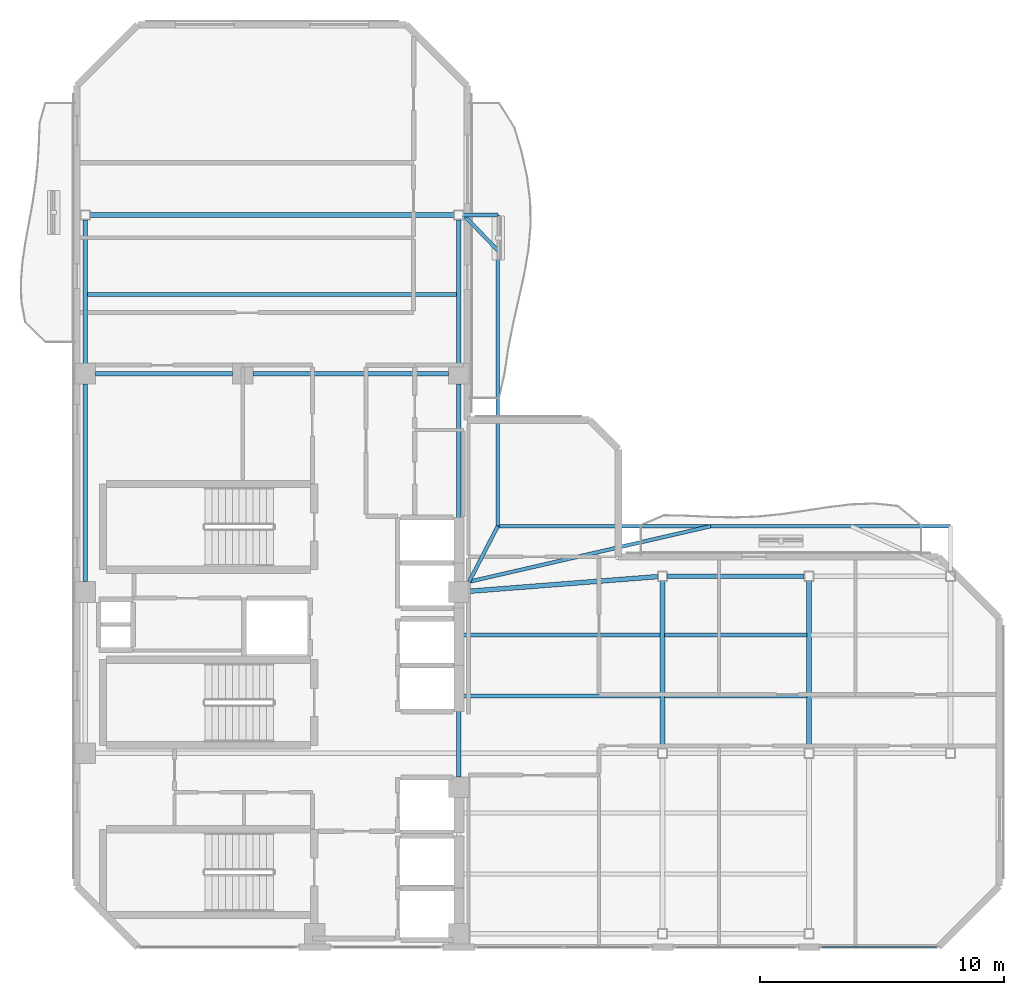
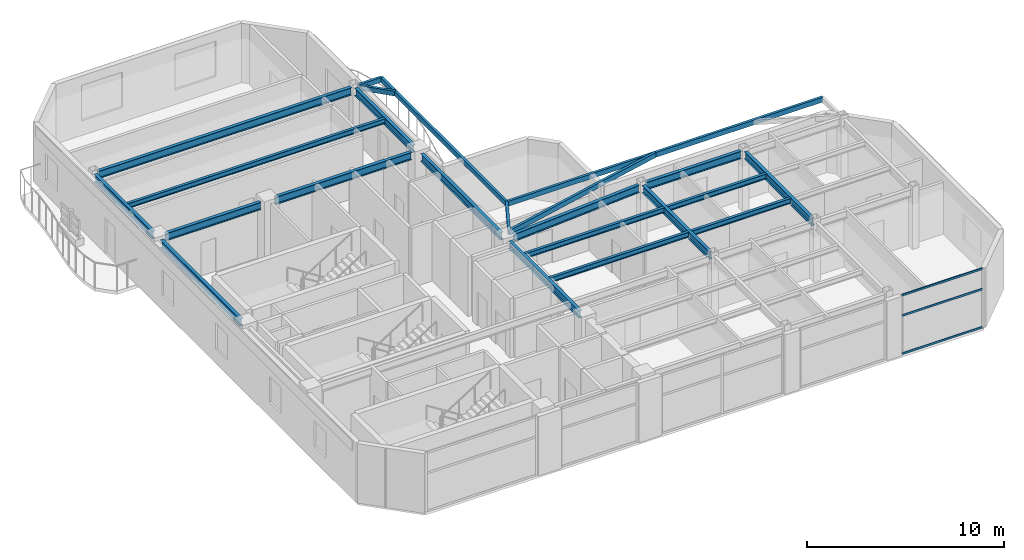
# One storey, part 6 of 15: 23 beams, 3 members, 1 element without a shape of its own.
"""IFC4 building model written with IfcOpenShell, lengths in metres."""

from ifc_helpers import new_model, si_unit, direction, frame, origin, origin_2d, place, context, subcontext, project, spatial, hollow_rectangle, i_section, extrude, material, layer, layer_set, material_profile, profile_set, type_object, element, aggregate, save


model = new_model("IFC4")

# Units and contexts
model_context = context("Model", 3, precision=1e-05, world=origin(), true_north=direction((0.0, 1.0)))
body_context = subcontext(model_context, "Body", "Model", "MODEL_VIEW")
ifc_project = project(units=[si_unit("LENGTHUNIT", "METRE"), si_unit("AREAUNIT", "SQUARE_METRE"), si_unit("VOLUMEUNIT", "CUBIC_METRE"), si_unit("PLANEANGLEUNIT", "RADIAN"), si_unit("MASSUNIT", "GRAM", prefix="KILO")], contexts=[model_context])

# Site, building, storey
site_placement = place(None, origin())
site = spatial("IfcSite", under=ifc_project, at=site_placement, CompositionType="ELEMENT")
building_placement = place(site_placement, origin())
building = spatial("IfcBuilding", under=site, at=building_placement, Name="Mawjaban Terraces University", CompositionType="ELEMENT")
storey_placement = place(building_placement, frame((0.0, 0.0, 295.0)))
storey = spatial("IfcBuildingStorey", under=building, at=storey_placement, Name="L72", CompositionType="ELEMENT", Elevation=295.0)

# Beams
ifc_material_1 = material(Name="Steel EN 10210-1 S355J2H", Category="steel")
ifc_material_profile_1 = material_profile(ifc_material_1, hollow_rectangle(XDim=0.14990234375, YDim=0.300048828125, WallThickness=0.012451171875, at=origin_2d()), Name="RHS300X150X12.5")
ifc_profile_set_1 = profile_set([ifc_material_profile_1], Name="Steel EN 10210-1 S355J2H")
beam_type_1 = type_object("IfcBeamType", Name="BalconyCantileverSpandrel_RHS", PredefinedType="SPANDREL", material=ifc_profile_set_1)
beam_1_placement = place(storey_placement, frame((38.074951171875, 14.97509765625, 3.5400390625), z_axis=(0.458922210771, 0.88847645127, 0.0), x_axis=(-0.88847645127, 0.458922210771, 0.0)))
element("IfcBeam", 1, at=beam_1_placement, inside=storey, type_object=beam_type_1, Name="L72 Corner Outrigger BAL-L73-N", PredefinedType="SPANDREL", context=body_context, shape_type="SweptSolid", body=[
    extrude(hollow_rectangle(XDim=0.14990234375, YDim=0.300048828125, WallThickness=0.012451171875, at=origin_2d()), origin(), (0.0, 0.0, 1.0), 2.560546875),
])
beam_2_placement = place(storey_placement, frame((39.25, 17.25, 3.5400390625), z_axis=(1.0, 0.0, 0.0), x_axis=(0.0, 1.0, 0.0)))
element("IfcBeam", 2, at=beam_2_placement, inside=storey, type_object=beam_type_1, Name="L72 Exterior Edge Spandrel BAL-L73-N", PredefinedType="SPANDREL", context=body_context, shape_type="SweptSolid", body=[
    extrude(hollow_rectangle(XDim=0.14990234375, YDim=0.300048828125, WallThickness=0.012451171875, at=origin_2d()), origin(), (0.0, 0.0, 1.0), 18.550048828125),
])
beam_3_placement = place(storey_placement, frame((38.074951171875, 14.97509765625, 3.5400390625), z_axis=(0.974600999447, 0.223948413426, 0.0), x_axis=(-0.223948413426, 0.974600999447, 0.0)))
element("IfcBeam", 3, at=beam_3_placement, inside=storey, type_object=beam_type_1, Name="L72 Exterior Diagonal Strut BAL-L73-N.1", PredefinedType="SPANDREL", context=body_context, shape_type="SweptSolid", body=[
    extrude(hollow_rectangle(XDim=0.14990234375, YDim=0.300048828125, WallThickness=0.012451171875, at=origin_2d()), origin(), (0.0, 0.0, 1.0), 10.158203125),
])
beam_4_placement = place(storey_placement, frame((37.85009765625, 30.0, 3.5400390625), z_axis=(1.0, 0.0, 0.0), x_axis=(0.0, 1.0, 0.0)))
element("IfcBeam", 4, at=beam_4_placement, inside=storey, type_object=beam_type_1, Name="L72 Exterior Outrigger BAL-L73-E.2", PredefinedType="SPANDREL", context=body_context, shape_type="SweptSolid", body=[
    extrude(hollow_rectangle(XDim=0.14990234375, YDim=0.300048828125, WallThickness=0.012451171875, at=origin_2d()), origin(), (0.0, 0.0, 1.0), 1.39990234375),
])
beam_5_placement = place(storey_placement, frame((39.25, 17.25, 3.5400390625), z_axis=(0.0, 1.0, 0.0), x_axis=(-1.0, 0.0, 0.0)))
element("IfcBeam", 5, at=beam_5_placement, inside=storey, type_object=beam_type_1, Name="L72 Exterior Edge Spandrel BAL-L73-E", PredefinedType="SPANDREL", context=body_context, shape_type="SweptSolid", body=[
    extrude(hollow_rectangle(XDim=0.14990234375, YDim=0.300048828125, WallThickness=0.012451171875, at=origin_2d()), origin(), (0.0, 0.0, 1.0), 12.75),
])
beam_6_placement = place(storey_placement, frame((37.85009765625, 30.0, 3.5400390625), z_axis=(0.694581542946, -0.719413983878, 0.0), x_axis=(0.719413983878, 0.694581542946, 0.0)))
element("IfcBeam", 6, at=beam_6_placement, inside=storey, type_object=beam_type_1, Name="L72 Exterior Diagonal Strut BAL-L73-E.1", PredefinedType="SPANDREL", context=body_context, shape_type="SweptSolid", body=[
    extrude(hollow_rectangle(XDim=0.14990234375, YDim=0.300048828125, WallThickness=0.012451171875, at=origin_2d()), origin(), (0.0, 0.0, 1.0), 2.015380859375),
])
ifc_material_2 = material(Name="Steel ASTM A572 Grade 50", Category="steel")
ifc_material_profile_2 = material_profile(ifc_material_2, i_section(OverallWidth=0.194091796875, OverallDepth=0.468994140625, WebThickness=0.011474609375, FlangeThickness=0.0205078125, at=origin_2d()), Name="W460X106")
ifc_profile_set_2 = profile_set([ifc_material_profile_2], Name="Steel ASTM A572 Grade 50")
beam_type_2 = type_object("IfcBeamType", Name="Beam_B_W460X106", PredefinedType="BEAM", material=ifc_profile_set_2)
for number, where, z_axis, x_axis, name in (
    (7, (46.199951171875, 15.199951171875, 3.455078125), (1.0, 0.0, 0.0), (0.0, 1.0, 0.0), "L72 Beam BM-L72-EW-06"),
    (8, (22.77490234375, 23.5, 3.455078125), (1.0, 0.0, 0.0), (0.0, 1.0, 0.0), "L72 Beam BM-L72-EW-08"),
):
    element("IfcBeam", number, at=place(storey_placement, frame(where, z_axis=z_axis, x_axis=x_axis)), inside=storey, type_object=beam_type_2, Name=name, PredefinedType="BEAM", context=body_context, shape_type="SweptSolid", body=[
        extrude(i_section(OverallWidth=0.194091796875, OverallDepth=0.468994140625, WebThickness=0.011474609375, FlangeThickness=0.0205078125, at=origin_2d()), origin(), (0.0, 0.0, 1.0), 5.60009765625),
    ])
beam_7_placement = place(storey_placement, frame((29.22509765625, 23.5, 3.455078125), z_axis=(1.0, 0.0, 0.0), x_axis=(0.0, 1.0, 0.0)))
element("IfcBeam", 9, at=beam_7_placement, inside=storey, type_object=beam_type_2, Name="L72 Beam BM-L72-EW-09", PredefinedType="BEAM", context=body_context, shape_type="SweptSolid", body=[
    extrude(i_section(OverallWidth=0.194091796875, OverallDepth=0.468994140625, WebThickness=0.011474609375, FlangeThickness=0.0205078125, at=origin_2d()), origin(), (0.0, 0.0, 1.0), 8.0),
])
beam_8_placement = place(storey_placement, frame((22.550048828125, 30.0, 3.455078125), z_axis=(1.0, 0.0, 0.0), x_axis=(0.0, 1.0, 0.0)))
element("IfcBeam", 10, at=beam_8_placement, inside=storey, type_object=beam_type_2, Name="L72 Beam BM-L72-EW-10", PredefinedType="BEAM", context=body_context, shape_type="SweptSolid", body=[
    extrude(i_section(OverallWidth=0.194091796875, OverallDepth=0.468994140625, WebThickness=0.011474609375, FlangeThickness=0.0205078125, at=origin_2d()), origin(), (0.0, 0.0, 1.0), 14.89990234375),
])
beam_9_placement = place(storey_placement, frame((22.35009765625, 14.97509765625, 3.455078125), z_axis=(0.0, 1.0, 0.0), x_axis=(-1.0, 0.0, 0.0)))
element("IfcBeam", 11, at=beam_9_placement, inside=storey, type_object=beam_type_2, Name="L72 Beam BM-L72-NS-02", PredefinedType="BEAM", context=body_context, shape_type="SweptSolid", body=[
    extrude(i_section(OverallWidth=0.194091796875, OverallDepth=0.468994140625, WebThickness=0.011474609375, FlangeThickness=0.0205078125, at=origin_2d()), origin(), (0.0, 0.0, 1.0), 8.099853515625),
])
beam_10_placement = place(storey_placement, frame((22.35009765625, 23.925048828125, 3.455078125), z_axis=(0.0, 1.0, 0.0), x_axis=(-1.0, 0.0, 0.0)))
element("IfcBeam", 12, at=beam_10_placement, inside=storey, type_object=beam_type_2, Name="L72 Beam BM-L72-NS-03", PredefinedType="BEAM", context=body_context, shape_type="SweptSolid", body=[
    extrude(i_section(OverallWidth=0.194091796875, OverallDepth=0.468994140625, WebThickness=0.011474609375, FlangeThickness=0.0205078125, at=origin_2d()), origin(), (0.0, 0.0, 1.0), 5.875),
])
beam_11_placement = place(storey_placement, frame((37.64990234375, 6.97509765625, 3.455078125), z_axis=(0.0, 1.0, 0.0), x_axis=(-1.0, 0.0, 0.0)))
element("IfcBeam", 13, at=beam_11_placement, inside=storey, type_object=beam_type_2, Name="L72 Beam BM-L72-NS-05", PredefinedType="BEAM", context=body_context, shape_type="SweptSolid", body=[
    extrude(i_section(OverallWidth=0.194091796875, OverallDepth=0.468994140625, WebThickness=0.011474609375, FlangeThickness=0.0205078125, at=origin_2d()), origin(), (0.0, 0.0, 1.0), 7.14990234375),
])
beam_12_placement = place(storey_placement, frame((37.64990234375, 14.97509765625, 3.455078125), z_axis=(0.0, 1.0, 0.0), x_axis=(-1.0, 0.0, 0.0)))
element("IfcBeam", 14, at=beam_12_placement, inside=storey, type_object=beam_type_2, Name="L72 Beam BM-L72-NS-06", PredefinedType="BEAM", context=body_context, shape_type="SweptSolid", body=[
    extrude(i_section(OverallWidth=0.194091796875, OverallDepth=0.468994140625, WebThickness=0.011474609375, FlangeThickness=0.0205078125, at=origin_2d()), origin(), (0.0, 0.0, 1.0), 8.099853515625),
])
beam_13_placement = place(storey_placement, frame((37.64990234375, 23.925048828125, 3.455078125), z_axis=(0.0, 1.0, 0.0), x_axis=(-1.0, 0.0, 0.0)))
element("IfcBeam", 15, at=beam_13_placement, inside=storey, type_object=beam_type_2, Name="L72 Beam BM-L72-NS-07", PredefinedType="BEAM", context=body_context, shape_type="SweptSolid", body=[
    extrude(i_section(OverallWidth=0.194091796875, OverallDepth=0.468994140625, WebThickness=0.011474609375, FlangeThickness=0.0205078125, at=origin_2d()), origin(), (0.0, 0.0, 1.0), 5.875),
])
for number, where, z_axis, x_axis, name in (
    (16, (46.0, 8.14990234375, 3.455078125), (0.0, 1.0, 0.0), (-1.0, 0.0, 0.0), "L72 Beam BM-L72-NS-09"),
    (17, (52.0, 8.14990234375, 3.455078125), (0.0, 1.0, 0.0), (-1.0, 0.0, 0.0), "L72 Beam BM-L72-NS-11"),
):
    element("IfcBeam", number, at=place(storey_placement, frame(where, z_axis=z_axis, x_axis=x_axis)), inside=storey, type_object=beam_type_2, Name=name, PredefinedType="BEAM", context=body_context, shape_type="SweptSolid", body=[
        extrude(i_section(OverallWidth=0.194091796875, OverallDepth=0.468994140625, WebThickness=0.011474609375, FlangeThickness=0.0205078125, at=origin_2d()), origin(), (0.0, 0.0, 1.0), 6.85009765625),
    ])
beam_14_placement = place(storey_placement, frame((38.073974609375, 14.5830078125, 3.455078125), z_axis=(0.996988151141, 0.077554023005, 0.0), x_axis=(-0.077554023005, 0.996988151141, 0.0)))
element("IfcBeam", 18, at=beam_14_placement, inside=storey, type_object=beam_type_2, Name="L72 Beam BM-L72-CTIE", PredefinedType="BEAM", context=body_context, shape_type="SweptSolid", body=[
    extrude(i_section(OverallWidth=0.194091796875, OverallDepth=0.468994140625, WebThickness=0.011474609375, FlangeThickness=0.0205078125, at=origin_2d()), origin(), (0.0, 0.0, 1.0), 7.75048828125),
])
ifc_material_profile_3 = material_profile(ifc_material_2, i_section(OverallWidth=0.1669921875, OverallDepth=0.318115234375, WebThickness=0.007568359375, FlangeThickness=0.01318359375, at=origin_2d()), Name="W310X52")
ifc_profile_set_3 = profile_set([ifc_material_profile_3], Name="Steel ASTM A572 Grade 50")
beam_type_3 = type_object("IfcBeamType", Name="Beam_J_W310X52", PredefinedType="JOIST", material=ifc_profile_set_3)
beam_15_placement = place(storey_placement, frame((37.72998046875, 10.300048828125, 3.531005859375), z_axis=(1.0, 0.0, 0.0), x_axis=(0.0, 1.0, 0.0)))
element("IfcBeam", 19, at=beam_15_placement, inside=storey, type_object=beam_type_3, Name="L72 Composite Joist JST-L72-05", PredefinedType="JOIST", context=body_context, shape_type="SweptSolid", body=[
    extrude(i_section(OverallWidth=0.1669921875, OverallDepth=0.318115234375, WebThickness=0.007568359375, FlangeThickness=0.01318359375, at=origin_2d()), origin(), (0.0, 0.0, 1.0), 8.18994140625),
])
beam_16_placement = place(storey_placement, frame((46.080078125, 10.300048828125, 3.531005859375), z_axis=(1.0, 0.0, 0.0), x_axis=(0.0, 1.0, 0.0)))
element("IfcBeam", 20, at=beam_16_placement, inside=storey, type_object=beam_type_3, Name="L72 Composite Joist JST-L72-06", PredefinedType="JOIST", context=body_context, shape_type="SweptSolid", body=[
    extrude(i_section(OverallWidth=0.1669921875, OverallDepth=0.318115234375, WebThickness=0.007568359375, FlangeThickness=0.01318359375, at=origin_2d()), origin(), (0.0, 0.0, 1.0), 5.83984375),
])
beam_17_placement = place(storey_placement, frame((37.72998046875, 12.800048828125, 3.531005859375), z_axis=(1.0, 0.0, 0.0), x_axis=(0.0, 1.0, 0.0)))
element("IfcBeam", 21, at=beam_17_placement, inside=storey, type_object=beam_type_3, Name="L72 Composite Joist JST-L72-08", PredefinedType="JOIST", context=body_context, shape_type="SweptSolid", body=[
    extrude(i_section(OverallWidth=0.1669921875, OverallDepth=0.318115234375, WebThickness=0.007568359375, FlangeThickness=0.01318359375, at=origin_2d()), origin(), (0.0, 0.0, 1.0), 8.18994140625),
])
beam_18_placement = place(storey_placement, frame((46.080078125, 12.800048828125, 3.531005859375), z_axis=(1.0, 0.0, 0.0), x_axis=(0.0, 1.0, 0.0)))
element("IfcBeam", 22, at=beam_18_placement, inside=storey, type_object=beam_type_3, Name="L72 Composite Joist JST-L72-09", PredefinedType="JOIST", context=body_context, shape_type="SweptSolid", body=[
    extrude(i_section(OverallWidth=0.1669921875, OverallDepth=0.318115234375, WebThickness=0.007568359375, FlangeThickness=0.01318359375, at=origin_2d()), origin(), (0.0, 0.0, 1.0), 5.83984375),
])
beam_19_placement = place(storey_placement, frame((22.429931640625, 26.75, 3.531005859375), z_axis=(1.0, 0.0, 0.0), x_axis=(0.0, 1.0, 0.0)))
element("IfcBeam", 23, at=beam_19_placement, inside=storey, type_object=beam_type_3, Name="L72 Composite Joist JST-L72-11", PredefinedType="JOIST", context=body_context, shape_type="SweptSolid", body=[
    extrude(i_section(OverallWidth=0.1669921875, OverallDepth=0.318115234375, WebThickness=0.007568359375, FlangeThickness=0.01318359375, at=origin_2d()), origin(), (0.0, 0.0, 1.0), 15.14013671875),
])

# Curtain wall, members
ifc_material_3 = material(Name="Anodised aluminium 6063-T6 and solar-control low-E glass", Category="aluminium")
ifc_layer = layer(ifc_material_3, 0.159912109375)
ifc_layer_set = layer_set([ifc_layer], Name="Anodised aluminium 6063-T6 and solar-control low-E glass")
curtain_wall_type = type_object("IfcCurtainWallType", Name="CWSystem_03_NorthWing", PredefinedType="NOTDEFINED", material=ifc_layer_set)
curtain_wall_placement = place(storey_placement, origin())
curtain_wall = element("IfcCurtainWall", 24, at=curtain_wall_placement, inside=storey, type_object=curtain_wall_type, Name="L72 Curtain Wall CW-03 Run 1.5", PredefinedType="NOTDEFINED")
ifc_material_4 = material(Name="Anodised aluminium 6063-T6", Category="aluminium")
ifc_material_profile_4 = material_profile(ifc_material_4, hollow_rectangle(XDim=0.06005859375, YDim=0.1201171875, WallThickness=0.00341796875, at=origin_2d()), Name="ALU120X60X3.5")
ifc_profile_set_4 = profile_set([ifc_material_profile_4], Name="Anodised aluminium 6063-T6")
member_type = type_object("IfcMemberType", Name="Transom_CW-03", PredefinedType="NOTDEFINED", material=ifc_profile_set_4)
member_1_placement = place(storey_placement, frame((52.514892578125, 0.0, 0.030029296875), z_axis=(1.0, 0.0, 0.0), x_axis=(0.0, 1.0, 0.0)))
member_1 = element("IfcMember", 25, at=member_1_placement, type_object=member_type, Name="CW-03 transom 1.1", ObjectType="TRANSOM", PredefinedType="USERDEFINED", context=body_context, shape_type="SweptSolid", body=[
    extrude(hollow_rectangle(XDim=0.06005859375, YDim=0.1201171875, WallThickness=0.00341796875, at=origin_2d()), origin(), (0.0, 0.0, 1.0), 4.72021484375),
])
member_2_placement = place(storey_placement, frame((52.514892578125, 0.0, 2.39892578125), z_axis=(1.0, 0.0, 0.0), x_axis=(0.0, 1.0, 0.0)))
member_2 = element("IfcMember", 26, at=member_2_placement, type_object=member_type, Name="CW-03 transom 1.2", ObjectType="TRANSOM", PredefinedType="USERDEFINED", context=body_context, shape_type="SweptSolid", body=[
    extrude(hollow_rectangle(XDim=0.06005859375, YDim=0.1201171875, WallThickness=0.00341796875, at=origin_2d()), origin(), (0.0, 0.0, 1.0), 4.72021484375),
])
member_3_placement = place(storey_placement, frame((52.514892578125, 0.0, 3.659912109375), z_axis=(1.0, 0.0, 0.0), x_axis=(0.0, 1.0, 0.0)))
member_3 = element("IfcMember", 27, at=member_3_placement, type_object=member_type, Name="CW-03 transom 1.3", ObjectType="TRANSOM", PredefinedType="USERDEFINED", context=body_context, shape_type="SweptSolid", body=[
    extrude(hollow_rectangle(XDim=0.06005859375, YDim=0.1201171875, WallThickness=0.00341796875, at=origin_2d()), origin(), (0.0, 0.0, 1.0), 4.72021484375),
])
aggregate(curtain_wall, [member_1, member_2, member_3])

save(model, "model.ifc")
